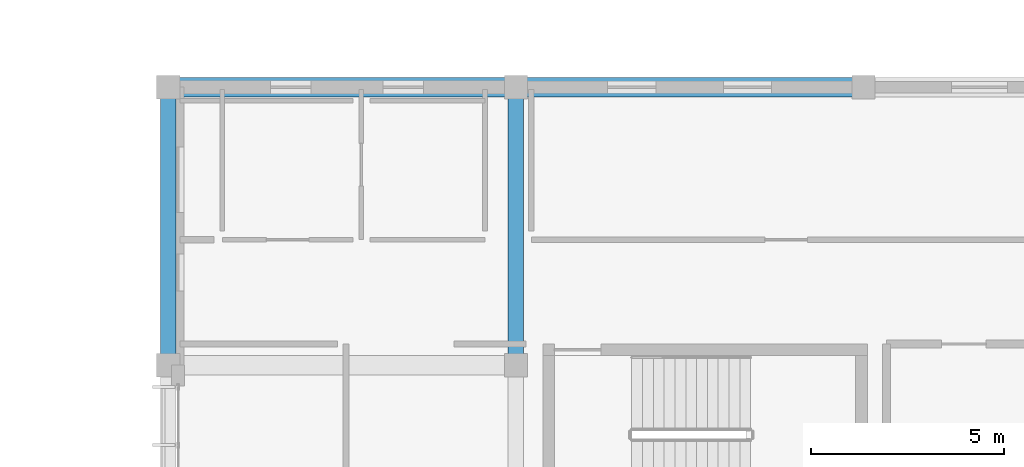
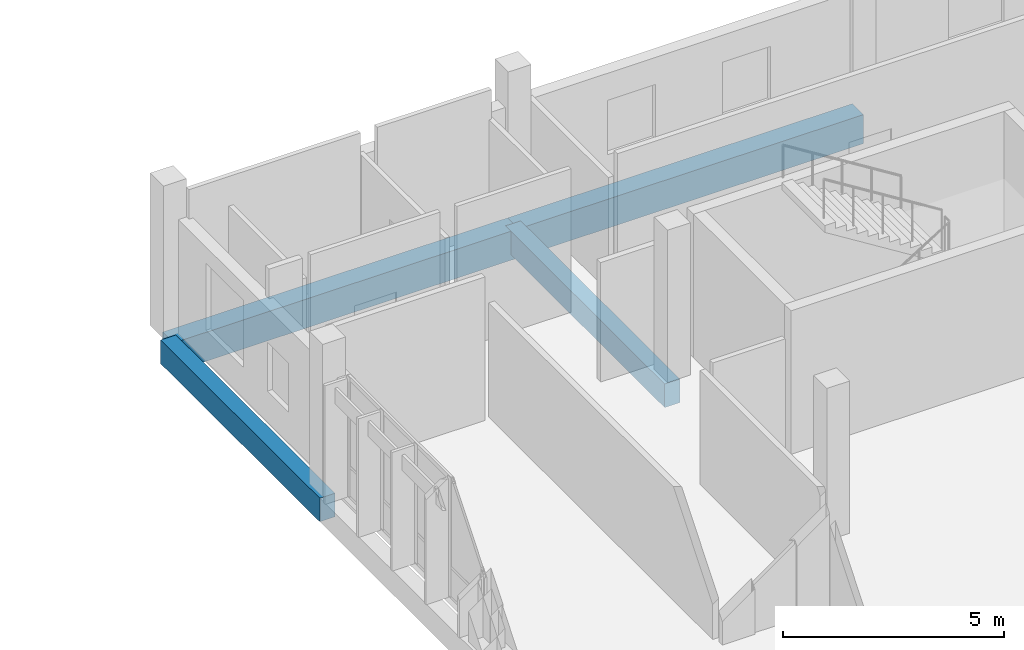
# One storey, part 20 of 107: 4 beams.
"""IFC4 building model written with IfcOpenShell, lengths in metres."""

from ifc_helpers import new_model, si_unit, direction, frame, origin, origin_2d, place, context, subcontext, project, spatial, rectangle, extrude, material, material_profile, profile_set, type_object, element, save


model = new_model("IFC4")

# Units and contexts
model_context = context("Model", 3, precision=1e-05, world=origin(), true_north=direction((0.0, 1.0)))
body_context = subcontext(model_context, "Body", "Model", "MODEL_VIEW")
ifc_project = project(units=[si_unit("LENGTHUNIT", "METRE"), si_unit("AREAUNIT", "SQUARE_METRE"), si_unit("VOLUMEUNIT", "CUBIC_METRE"), si_unit("PLANEANGLEUNIT", "RADIAN"), si_unit("MASSUNIT", "GRAM", prefix="KILO")], contexts=[model_context])

# Site, building, storey
site_placement = place(None, origin())
site = spatial("IfcSite", under=ifc_project, at=site_placement, CompositionType="ELEMENT")
building_placement = place(site_placement, origin())
building = spatial("IfcBuilding", under=site, at=building_placement, Name="Chiffa Square Polytechnic", CompositionType="ELEMENT")
storey_placement = place(building_placement, frame((0.0, 0.0, 13.800048828125)))
storey = spatial("IfcBuildingStorey", under=building, at=storey_placement, Name="L03", CompositionType="ELEMENT", Elevation=13.800048828125)

# Beams
ifc_material_1 = material(Name="Concrete C35/45", Category="concrete")
ifc_material_profile_1 = material_profile(ifc_material_1, rectangle(XDim=0.39990234375, YDim=0.64990234375, at=origin_2d()), Name="RC 400x650")
ifc_profile_set_1 = profile_set([ifc_material_profile_1], Name="Concrete C35/45")
beam_type_1 = type_object("IfcBeamType", Name="BM-RC-400X650", PredefinedType="BEAM", material=ifc_profile_set_1)
for number, where, z_axis, x_axis, name in (
    (1, (112.199951171875, 21.60009765625, -0.5849609375), (0.0, 1.0, 0.0), (-1.0, 0.0, 0.0), "Primary floor girder BM-V1-L03-Y-1122-0216"),
    (2, (121.199951171875, 21.60009765625, -0.5849609375), (0.0, 1.0, 0.0), (-1.0, 0.0, 0.0), "Primary floor girder BM-V1-L03-Y-1212-0216"),
):
    element("IfcBeam", number, at=place(storey_placement, frame(where, z_axis=z_axis, x_axis=x_axis)), inside=storey, type_object=beam_type_1, Name=name, PredefinedType="BEAM", context=body_context, shape_type="SweptSolid", body=[
        extrude(rectangle(XDim=0.39990234375, YDim=0.64990234375, at=origin_2d()), origin(), (0.0, 0.0, 1.0), 7.199951171875),
    ])
ifc_material_2 = material(Name="Concrete C40/50", Category="concrete")
ifc_material_profile_2 = material_profile(ifc_material_2, rectangle(XDim=0.5, YDim=0.800048828125, at=origin_2d()), Name="RC 500x800")
ifc_profile_set_2 = profile_set([ifc_material_profile_2], Name="Concrete C40/50")
beam_type_2 = type_object("IfcBeamType", Name="BM-RC-500X800", PredefinedType="BEAM", material=ifc_profile_set_2)
for number, where, z_axis, x_axis, name in (
    (3, (112.199951171875, 28.800048828125, -0.66015625), (1.0, 0.0, 0.0), (0.0, 1.0, 0.0), "Primary floor girder BM-V1-L03-X-1122-0288"),
    (4, (121.199951171875, 28.800048828125, -0.66015625), (1.0, 0.0, 0.0), (0.0, 1.0, 0.0), "Primary floor girder BM-V1-L03-X-1212-0288"),
):
    element("IfcBeam", number, at=place(storey_placement, frame(where, z_axis=z_axis, x_axis=x_axis)), inside=storey, type_object=beam_type_2, Name=name, PredefinedType="BEAM", context=body_context, shape_type="SweptSolid", body=[
        extrude(rectangle(XDim=0.5, YDim=0.800048828125, at=origin_2d()), origin(), (0.0, 0.0, 1.0), 9.0),
    ])

save(model, "model.ifc")
